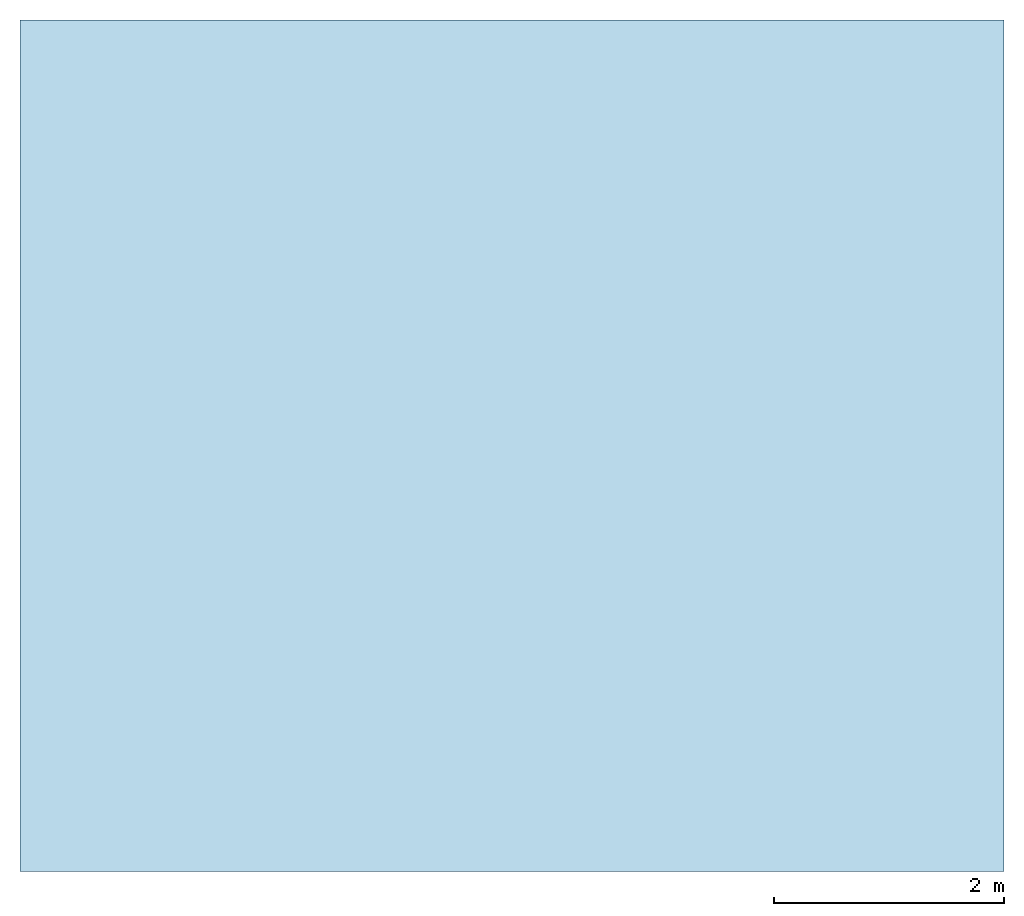
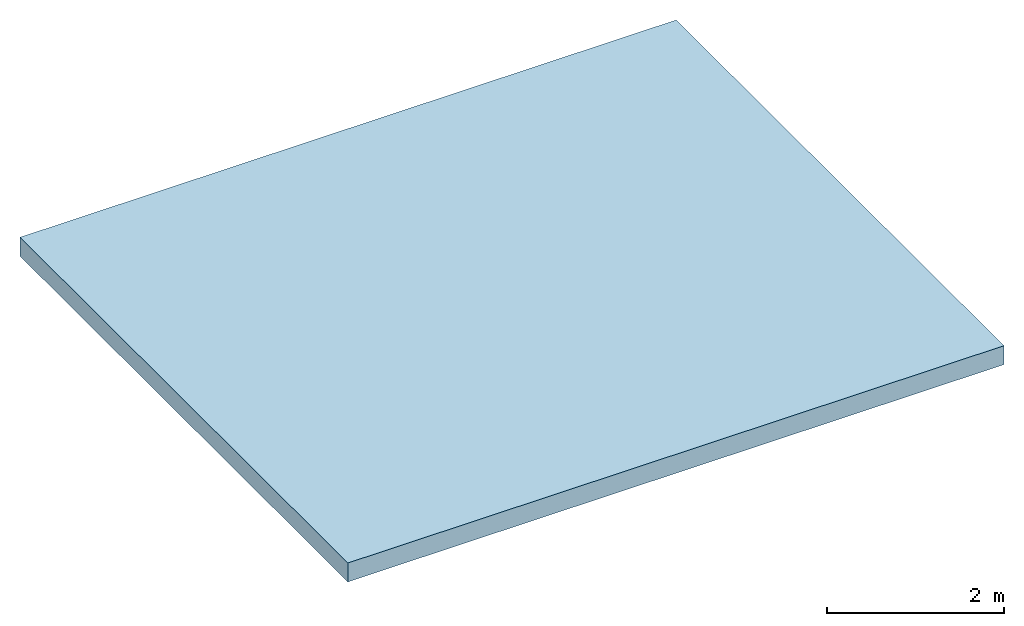
# One storey: 1 slab.
"""IFC4 building model written with IfcOpenShell, lengths in metres."""

import ifcopenshell
import ifcopenshell.guid

model = None  # the IFC model being written
_history = None  # IfcOwnerHistory: only IFC2X3 demands one
_inside = {}  # id of a spatial element -> (the spatial element, [elements in it])
_under = {}  # id of a project, library or spatial element -> (it, [spatial elements below it])
_declared = {}  # id of a project -> (the project, [libraries it declares])
_typed = {}  # id of a type object -> (the type object, [elements of that type])
_made_of = {}  # id of a material, layer set ... -> (it, [elements and type objects made of it])


def new_model(schema):
    """Start an empty IFC model of exactly this schema.

    Asked for "IFC4X3", IfcOpenShell would pick the latest addendum, in which some entities
    have other attributes; the version numbers below select the first issue.
    IFC2X3 requires an IfcOwnerHistory on every rooted entity: one is made here for all.
    """
    global model, _history
    if schema == "IFC4X3":
        model = ifcopenshell.file(schema_version=(4, 3, 0, 0))
    else:
        model = ifcopenshell.file(schema=schema)
    _inside.clear()
    _under.clear()
    _declared.clear()
    _typed.clear()
    _made_of.clear()
    _history = None
    if model.schema == "IFC2X3":
        org = make("IfcOrganization", Name="unknown")
        user = make(
            "IfcPersonAndOrganization",
            ThePerson=make("IfcPerson", FamilyName="unknown"),
            TheOrganization=org,
        )
        app = make(
            "IfcApplication",
            ApplicationDeveloper=org,
            Version="unknown",
            ApplicationFullName="unknown",
            ApplicationIdentifier="unknown",
        )
        _history = make(
            "IfcOwnerHistory",
            OwningUser=user,
            OwningApplication=app,
            ChangeAction="ADDED",
            CreationDate=0,
        )
    return model


def make(cls, **values):
    """One entity of the class cls with the attributes given. An attribute that is None is left unset."""
    return model.create_entity(
        cls, **{name: value for name, value in values.items() if value is not None}
    )


def rooted(cls, **values):
    """An entity with a GlobalId (a new one), such as an element, a storey or a relation."""
    return make(cls, GlobalId=ifcopenshell.guid.new(), OwnerHistory=_history, **values)


def si_unit(unit_type, name, prefix=None):
    """IfcSIUnit, for example si_unit("LENGTHUNIT", "METRE", prefix="MILLI")."""
    return make("IfcSIUnit", UnitType=unit_type, Prefix=prefix, Name=name)


def assignment(units):
    """IfcUnitAssignment: the units of a project."""
    return None if units is None else make("IfcUnitAssignment", Units=units)


def point(xyz):
    """IfcCartesianPoint."""
    return None if xyz is None else make("IfcCartesianPoint", Coordinates=xyz)


def direction(xyz):
    """IfcDirection."""
    return None if xyz is None else make("IfcDirection", DirectionRatios=xyz)


def frame(location, z_axis=None, x_axis=None):
    """IfcAxis2Placement3D, a coordinate frame: its origin and axes. An axis left out is left unset."""
    return make(
        "IfcAxis2Placement3D",
        Location=point(location),
        Axis=direction(z_axis),
        RefDirection=direction(x_axis),
    )


def origin():
    """The frame at (0, 0, 0) with its axes left unset."""
    return frame((0.0, 0.0, 0.0))


def place(relative_to, where):
    """IfcLocalPlacement: puts the frame where relative to a parent placement (None: the world)."""
    return make(
        "IfcLocalPlacement", PlacementRelTo=relative_to, RelativePlacement=where
    )


def context(
    kind, dimensions, precision=None, world=None, true_north=None, identifier=None
):
    """IfcGeometricRepresentationContext, for example the 3D "Model" context."""
    return make(
        "IfcGeometricRepresentationContext",
        ContextIdentifier=identifier,
        ContextType=kind,
        CoordinateSpaceDimension=dimensions,
        Precision=precision,
        WorldCoordinateSystem=world,
        TrueNorth=true_north,
    )


def subcontext(parent, identifier, kind, view, scale=None):
    """IfcGeometricRepresentationSubContext, for example "Body" below "Model"."""
    return make(
        "IfcGeometricRepresentationSubContext",
        ContextIdentifier=identifier,
        ContextType=kind,
        ParentContext=parent,
        TargetScale=scale,
        TargetView=view,
    )


def project(units=None, contexts=None):
    """IfcProject with its units and contexts."""
    return rooted(
        "IfcProject",
        Name="project",
        RepresentationContexts=contexts,
        UnitsInContext=assignment(units),
    )


def spatial(cls, under=None, at=None, **own):
    """A site, building, storey or space (cls), placed at a placement, below another one or the project."""
    s = rooted(cls, ObjectPlacement=at, **own)
    if under is not None:
        _under.setdefault(under.id(), (under, []))[1].append(s)
    return s


def polyline(points):
    """IfcPolyline through the points."""
    return make("IfcPolyline", Points=[point(p) for p in points])


def outline(outer, holes=None, kind="AREA"):
    """IfcArbitraryClosedProfileDef: a profile drawn as a closed curve; with holes, ...WithVoids."""
    if holes is None:
        return make("IfcArbitraryClosedProfileDef", ProfileType=kind, OuterCurve=outer)
    return make(
        "IfcArbitraryProfileDefWithVoids",
        ProfileType=kind,
        OuterCurve=outer,
        InnerCurves=holes,
    )


def extrude(swept, where, along, depth):
    """IfcExtrudedAreaSolid: the profile swept, set in the frame where, extruded along a direction by depth."""
    return make(
        "IfcExtrudedAreaSolid",
        SweptArea=swept,
        Position=where,
        ExtrudedDirection=direction(along),
        Depth=depth,
    )


def shape(context_of_items, identifier, shape_type, items):
    """IfcShapeRepresentation: the items that make up one representation, for example the "Body"."""
    return make(
        "IfcShapeRepresentation",
        ContextOfItems=context_of_items,
        RepresentationIdentifier=identifier,
        RepresentationType=shape_type,
        Items=items,
    )


def material(Name=None, Category=None):
    """IfcMaterial."""
    return make("IfcMaterial", Name=Name, Category=Category)


def layer(
    of_material, thickness, ventilated=None, Name=None, Category=None, Priority=None
):
    """IfcMaterialLayer: one layer of a wall or slab, of a material (None: an air gap)."""
    return make(
        "IfcMaterialLayer",
        Material=of_material,
        LayerThickness=thickness,
        IsVentilated=ventilated,
        Name=Name,
        Category=Category,
        Priority=Priority,
    )


def layer_set(layers, Name=None):
    """IfcMaterialLayerSet."""
    return make("IfcMaterialLayerSet", MaterialLayers=layers, LayerSetName=Name)


def made_of(thing, what):
    """Note that an element or type object is made of a material, layer set ...; save() writes the relation."""
    if what is not None:
        _made_of.setdefault(what.id(), (what, []))[1].append(thing)
    return thing


def type_object(cls, material=None, **own):
    """A type object (cls), such as IfcWallType, which elements share."""
    return made_of(rooted(cls, **own), material)


def element(
    cls,
    number,
    at=None,
    inside=None,
    cuts=None,
    type_object=None,
    material=None,
    context=None,
    identifier="Body",
    shape_type=None,
    held_by="IfcProductDefinitionShape",
    body=None,
    shapes=None,
    **own,
):
    """One element of the class cls, such as IfcWall. Its Tag is "e" and its number.

    at: its placement. inside: the storey or other place that contains it. cuts: it is an
    opening in that element (IfcRelVoidsElement). A single representation is given by context,
    identifier, shape_type and body (its items); several are given by shapes. held_by: the class
    of the entity that holds the representations. save() writes the other relations.
    """
    e = rooted(cls, Tag="e%d" % number, ObjectPlacement=at, **own)
    if body is not None:
        shapes = [shape(context, identifier, shape_type, body)]
    if shapes is not None:
        e.Representation = make(held_by, Representations=shapes)
    if inside is not None:
        _inside.setdefault(inside.id(), (inside, []))[1].append(e)
    if cuts is not None:
        rooted(
            "IfcRelVoidsElement", RelatingBuildingElement=cuts, RelatedOpeningElement=e
        )
    if type_object is not None:
        _typed.setdefault(type_object.id(), (type_object, []))[1].append(e)
    return made_of(e, material)


def aggregate(whole, parts):
    """IfcRelAggregates: a whole, such as a stair, and the parts it consists of."""
    return rooted("IfcRelAggregates", RelatingObject=whole, RelatedObjects=parts)


def save(model, path):
    """Write the relations noted so far, then the file.

    IfcRelAggregates (storeys below a building ...), IfcRelContainedInSpatialStructure (elements
    in a storey), IfcRelDefinesByType, IfcRelAssociatesMaterial and IfcRelDeclares: one each for
    every whole, place, type object, material and project.
    """
    for whole, parts in _under.values():
        aggregate(whole, parts)
    for where, things in _inside.values():
        rooted(
            "IfcRelContainedInSpatialStructure",
            RelatedElements=things,
            RelatingStructure=where,
        )
    for kind, things in _typed.values():
        rooted("IfcRelDefinesByType", RelatedObjects=things, RelatingType=kind)
    for what, things in _made_of.values():
        rooted("IfcRelAssociatesMaterial", RelatedObjects=things, RelatingMaterial=what)
    for by, libraries in _declared.values():
        rooted("IfcRelDeclares", RelatingContext=by, RelatedDefinitions=libraries)
    model.write(path)


model = new_model("IFC4")

# Units and contexts
model_context = context("Model", 3, precision=1e-05, world=origin(), true_north=direction((0.0, 1.0)))
body_context = subcontext(model_context, "Body", "Model", "MODEL_VIEW")
ifc_project = project(units=[si_unit("LENGTHUNIT", "METRE"), si_unit("AREAUNIT", "SQUARE_METRE"), si_unit("VOLUMEUNIT", "CUBIC_METRE"), si_unit("PLANEANGLEUNIT", "RADIAN"), si_unit("MASSUNIT", "GRAM", prefix="KILO")], contexts=[model_context])

# Site, building, storey
site_placement = place(None, origin())
site = spatial("IfcSite", under=ifc_project, at=site_placement, CompositionType="ELEMENT")
building_placement = place(site_placement, origin())
building = spatial("IfcBuilding", under=site, at=building_placement, Name="Putna Gate Headquarters", CompositionType="ELEMENT")
storey_placement = place(building_placement, frame((0.0, 0.0, 323.60009765625)))
storey = spatial("IfcBuildingStorey", under=building, at=storey_placement, Name="ROOF", CompositionType="ELEMENT", Elevation=323.60009765625)

# Slab
ifc_material = material(Name="Concrete C40/50", Category="concrete")
ifc_layer = layer(ifc_material, 0.260009765625)
ifc_layer_set = layer_set([ifc_layer], Name="Concrete C40/50")
slab_type = type_object("IfcSlabType", Name="SLAB-PODIUM-ROOF-260", PredefinedType="ROOF", material=ifc_layer_set)
slab_placement = place(storey_placement, origin())
element("IfcSlab", 1, at=slab_placement, inside=storey, type_object=slab_type, Name="RF Stair Penthouse Maintenance Roof Slab", PredefinedType="ROOF", context=body_context, shape_type="SweptSolid", body=[
    extrude(outline(polyline([(13.35009765625, 19.35009765625), (21.89990234375, 19.35009765625), (21.89990234375, 26.75), (13.35009765625, 26.75), (13.35009765625, 19.35009765625)])), origin(), (0.0, 0.0, 1.0), 0.260009765625),
])

save(model, "model.ifc")
